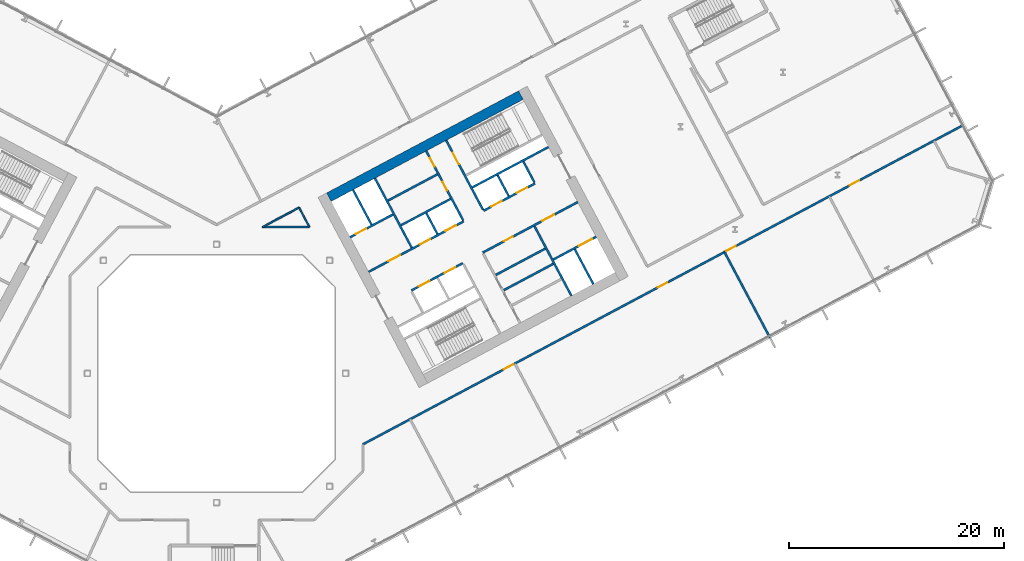
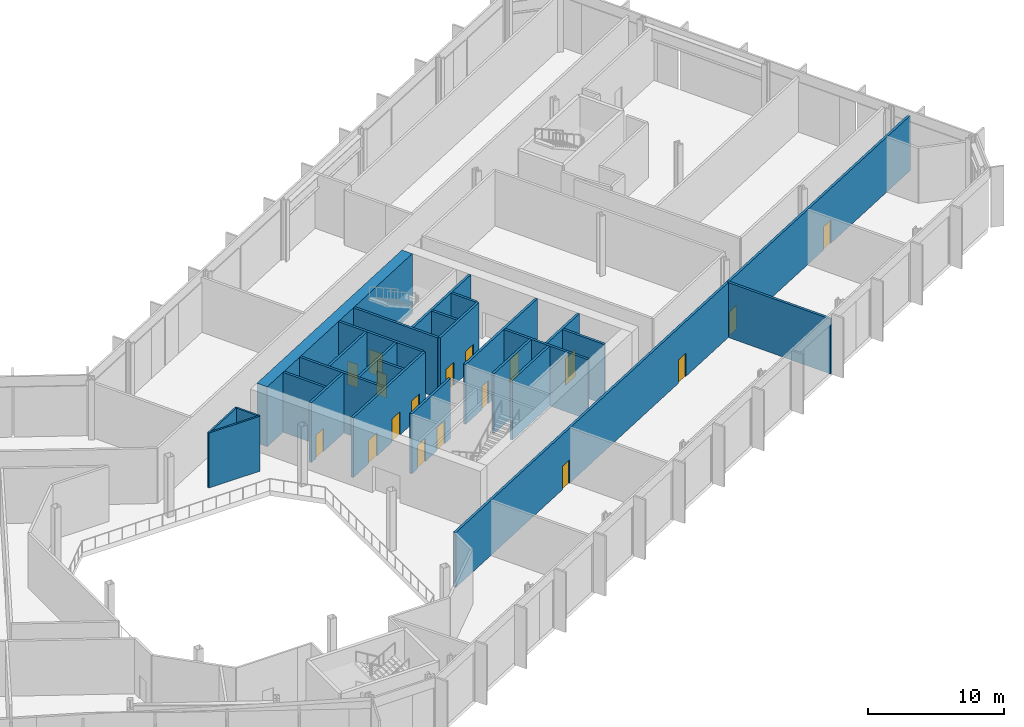
# One storey, part 16 of 32: 26 walls, 18 doors, 18 openings.
"""IFC4 building model written with IfcOpenShell, lengths in metres."""

from ifc_helpers import new_model, si_unit, direction, frame, frame_2d, origin, place, context, subcontext, project, spatial, rectangle, extrude, material, layer, layer_set, type_object, element, fill, save


model = new_model("IFC4")

# Units and contexts
model_context = context("Model", 3, precision=1e-05, world=origin(), true_north=direction((0.0, 1.0)))
body_context = subcontext(model_context, "Body", "Model", "MODEL_VIEW")
ifc_project = project(units=[si_unit("LENGTHUNIT", "METRE"), si_unit("AREAUNIT", "SQUARE_METRE"), si_unit("VOLUMEUNIT", "CUBIC_METRE"), si_unit("PLANEANGLEUNIT", "RADIAN"), si_unit("MASSUNIT", "GRAM", prefix="KILO")], contexts=[model_context])

# Site, building, storey
site_placement = place(None, origin())
site = spatial("IfcSite", under=ifc_project, at=site_placement, CompositionType="ELEMENT")
building_placement = place(site_placement, origin())
building = spatial("IfcBuilding", under=site, at=building_placement, Name="Cormorant Relay Tower", CompositionType="ELEMENT")
storey_placement = place(building_placement, frame((0.0, 0.0, 39.199951171875)))
storey = spatial("IfcBuildingStorey", under=building, at=storey_placement, Name="L07", CompositionType="ELEMENT", Elevation=39.199951171875)

# Walls
ifc_material_1 = material(Name="Concrete 40 MPa", Category="concrete")
ifc_layer_1 = layer(ifc_material_1, 0.199951171875)
ifc_layer_set_1 = layer_set([ifc_layer_1], Name="Core internal wall 200")
wall_type_1 = type_object("IfcWallType", Name="Core internal wall 200", PredefinedType="SOLIDWALL", material=ifc_layer_set_1)
for number, where, z_axis, x_axis, name in (
    (1, (20.522216796875, 12.950439453125, 0.0), (0.0, 0.0, 1.0), (-0.469401318492, 0.882984938828, 0.0), "L07 core B shaft and room wall"),
    (2, (27.144287109375, 16.471435546875, 0.0), (0.0, 0.0, 1.0), (-0.469401318492, 0.882984938828, 0.0), "L07 core B shaft and room wall"),
):
    element("IfcWall", number, at=place(storey_placement, frame(where, z_axis=z_axis, x_axis=x_axis)), inside=storey, type_object=wall_type_1, Name=name, PredefinedType="SOLIDWALL", context=body_context, shape_type="SweptSolid", body=[
        extrude(rectangle(XDim=2.199951171875, YDim=0.199951171875, at=frame_2d((1.10009765625, 0.0))), origin(), (0.0, 0.0, 1.0), 5.400146484375),
    ])
for number, where, z_axis, x_axis, name in (
    (3, (26.692138671875, 7.73681640625, 0.0), (0.0, 0.0, 1.0), (0.882953967957, 0.469459572775, 0.0), "L07 core B shaft and room wall"),
    (4, (15.92626953125, 16.056396484375, 0.0), (0.0, 0.0, 1.0), (0.882953967957, 0.469459572775, 0.0), "L07 core B shaft and room wall"),
):
    element("IfcWall", number, at=place(storey_placement, frame(where, z_axis=z_axis, x_axis=x_axis)), inside=storey, type_object=wall_type_1, Name=name, PredefinedType="SOLIDWALL", context=body_context, shape_type="SweptSolid", body=[
        extrude(rectangle(XDim=5.199951171875, YDim=0.199951171875, at=frame_2d((2.60009765625, 0.0))), origin(), (0.0, 0.0, 1.0), 5.400146484375),
    ])
ifc_material_2 = material(Name="Concrete 50 MPa", Category="concrete")
ifc_layer_2 = layer(ifc_material_2, 0.199951171875)
ifc_layer_set_2 = layer_set([ifc_layer_2], Name="Core shaft wall 200")
wall_type_2 = type_object("IfcWallType", Name="Core shaft wall 200", PredefinedType="SHEAR", material=ifc_layer_set_2)
wall_1_placement = place(storey_placement, frame((14.39404296875, 13.825927734375, 0.0), z_axis=(0.0, 0.0, 1.0), x_axis=(-0.469494272526, 0.882935517501, 0.0)))
element("IfcWall", 5, at=wall_1_placement, inside=storey, type_object=wall_type_2, Name="L07 core B shaft wall", PredefinedType="SHEAR", context=body_context, shape_type="SweptSolid", body=[
    extrude(rectangle(XDim=3.64990234375, YDim=0.199951171875, at=frame_2d((1.824951171875, 0.0))), origin(), (0.0, 0.0, 1.0), 5.400146484375),
])
wall_2_placement = place(storey_placement, frame((18.138427734375, 11.682861328125, 0.0), z_axis=(0.0, 0.0, 1.0), x_axis=(-0.469480409012, 0.88294288918, 0.0)))
element("IfcWall", 6, at=wall_2_placement, inside=storey, type_object=wall_type_2, Name="L07 core B shaft wall", PredefinedType="SHEAR", context=body_context, shape_type="SweptSolid", body=[
    extrude(rectangle(XDim=7.300048828125, YDim=0.199951171875, at=frame_2d((3.64990234375, 0.0))), origin(), (0.0, 0.0, 1.0), 5.400146484375),
])

# Wall, openings, doors
wall_3_placement = place(storey_placement, frame((22.90625, 14.218017578125, 0.0), z_axis=(0.0, 0.0, 1.0), x_axis=(-0.469480409012, 0.88294288918, 0.0)))
wall_3 = element("IfcWall", 7, at=wall_3_placement, inside=storey, type_object=wall_type_2, Name="L07 core B shaft wall", PredefinedType="SHEAR", context=body_context, shape_type="SweptSolid", body=[
    extrude(rectangle(XDim=7.300048828125, YDim=0.199951171875, at=frame_2d((3.64990234375, 0.0))), origin(), (0.0, 0.0, 1.0), 5.400146484375),
])
opening_1_placement = place(wall_3_placement, frame((3.14990234375, 0.0, 0.0)))
opening_1 = element("IfcOpeningElement", 8, at=opening_1_placement, cuts=wall_3, Name="Opening CDD-090", PredefinedType="OPENING", context=body_context, shape_type="SweptSolid", body=[
    extrude(rectangle(XDim=0.89990234375, YDim=2.10009765625, at=frame_2d((0.449951171875, 1.050048828125))), frame((0.0, 0.10986328125, 0.0), z_axis=(0.0, -1.0, 0.0), x_axis=(1.0, 0.0, 0.0)), (0.0, 0.0, 1.0), 0.219970703125),
])
opening_2_placement = place(wall_3_placement, frame((5.64990234375, 0.0, 0.0)))
opening_2 = element("IfcOpeningElement", 9, at=opening_2_placement, cuts=wall_3, Name="Opening CDD-091", PredefinedType="OPENING", context=body_context, shape_type="SweptSolid", body=[
    extrude(rectangle(XDim=0.89990234375, YDim=2.10009765625, at=frame_2d((0.449951171875, 1.050048828125))), frame((0.0, 0.10986328125, 0.0), z_axis=(0.0, -1.0, 0.0), x_axis=(1.0, 0.0, 0.0)), (0.0, 0.0, 1.0), 0.219970703125),
])
ifc_material_3 = material(Name="Steel fire door", Category="steel")
door_type_1 = type_object("IfcDoorType", Name="Core room door 900x2100", OperationType="SINGLE_SWING_LEFT", PredefinedType="DOOR", material=ifc_material_3)
door_1_placement = place(opening_1_placement, origin())
door_1 = element("IfcDoor", 10, at=door_1_placement, inside=storey, type_object=door_type_1, Name="Core room door 900x2100", OperationType="SINGLE_SWING_RIGHT", OverallHeight=2.10009765625, OverallWidth=0.89990234375, PredefinedType="DOOR", context=body_context, shape_type="SweptSolid", body=[
    extrude(rectangle(XDim=0.89990234375, YDim=2.10009765625, at=frame_2d((0.449951171875, 1.050048828125))), frame((0.0, 0.02490234375, 0.0), z_axis=(0.0, -1.0, 0.0), x_axis=(1.0, 0.0, 0.0)), (0.0, 0.0, 1.0), 0.050048828125),
])
fill(opening_1, door_1)
door_2_placement = place(opening_2_placement, origin())
door_2 = element("IfcDoor", 11, at=door_2_placement, inside=storey, type_object=door_type_1, Name="Core room door 900x2100", OperationType="SINGLE_SWING_LEFT", OverallHeight=2.10009765625, OverallWidth=0.89990234375, PredefinedType="DOOR", context=body_context, shape_type="SweptSolid", body=[
    extrude(rectangle(XDim=0.89990234375, YDim=2.10009765625, at=frame_2d((0.449951171875, 1.050048828125))), frame((0.0, 0.02490234375, 0.0), z_axis=(0.0, -1.0, 0.0), x_axis=(1.0, 0.0, 0.0)), (0.0, 0.0, 1.0), 0.050048828125),
])
fill(opening_2, door_2)

# Wall, opening, door
wall_4_placement = place(storey_placement, frame((24.760498046875, 15.2041015625, 0.0), z_axis=(0.0, 0.0, 1.0), x_axis=(-0.469494272526, 0.882935517501, 0.0)))
wall_4 = element("IfcWall", 12, at=wall_4_placement, inside=storey, type_object=wall_type_2, Name="L07 core B shaft wall", PredefinedType="SHEAR", context=body_context, shape_type="SweptSolid", body=[
    extrude(rectangle(XDim=7.2998046875, YDim=0.199951171875, at=frame_2d((3.64990234375, 0.0))), origin(), (0.0, 0.0, 1.0), 5.400146484375),
])
opening_3_placement = place(wall_4_placement, frame((4.800048828125, 0.0, 0.0)))
opening_3 = element("IfcOpeningElement", 13, at=opening_3_placement, cuts=wall_4, Name="Opening CDB-022", PredefinedType="OPENING", context=body_context, shape_type="SweptSolid", body=[
    extrude(rectangle(XDim=1.199951171875, YDim=2.10009765625, at=frame_2d((0.60009765625, 1.050048828125))), frame((0.0, 0.10986328125, 0.0), z_axis=(0.0, -1.0, 0.0), x_axis=(1.0, 0.0, 0.0)), (0.0, 0.0, 1.0), 0.219970703125),
])
ifc_material_4 = material(Name="Steel fire door", Category="steel")
door_type_2 = type_object("IfcDoorType", Name="Core stair door 1200x2100", OperationType="SINGLE_SWING_LEFT", PredefinedType="DOOR", material=ifc_material_4)
door_3_placement = place(opening_3_placement, frame((1.199951171875, 0.0, 0.0), z_axis=(0.0, 0.0, 1.0), x_axis=(-1.0, 0.0, 0.0)))
door_3 = element("IfcDoor", 14, at=door_3_placement, inside=storey, type_object=door_type_2, Name="Core stair door 1200x2100", OperationType="SINGLE_SWING_RIGHT", OverallHeight=2.10009765625, OverallWidth=1.199951171875, PredefinedType="DOOR", context=body_context, shape_type="SweptSolid", body=[
    extrude(rectangle(XDim=1.199951171875, YDim=2.10009765625, at=frame_2d((0.60009765625, 1.050048828125))), frame((0.0, 0.02490234375, 0.0), z_axis=(0.0, -1.0, 0.0), x_axis=(1.0, 0.0, 0.0)), (0.0, 0.0, 1.0), 0.050048828125),
])
fill(opening_3, door_3)

# Walls
wall_5_placement = place(storey_placement, frame((32.968017578125, 7.222900390625, 0.0), z_axis=(0.0, 0.0, 1.0), x_axis=(-0.469480409012, 0.88294288918, 0.0)))
element("IfcWall", 15, at=wall_5_placement, inside=storey, type_object=wall_type_2, Name="L07 core B shaft wall", PredefinedType="SHEAR", context=body_context, shape_type="SweptSolid", body=[
    extrude(rectangle(XDim=7.300048828125, YDim=0.199951171875, at=frame_2d((3.64990234375, 0.0))), origin(), (0.0, 0.0, 1.0), 5.400146484375),
])
wall_6_placement = place(storey_placement, frame((29.5283203125, 17.739013671875, 0.0), z_axis=(0.0, 0.0, 1.0), x_axis=(-0.469401318492, 0.882984938828, 0.0)))
element("IfcWall", 16, at=wall_6_placement, inside=storey, type_object=wall_type_2, Name="L07 core B shaft wall", PredefinedType="SHEAR", context=body_context, shape_type="SweptSolid", body=[
    extrude(rectangle(XDim=2.199951171875, YDim=0.199951171875, at=frame_2d((1.10009765625, 0.0))), origin(), (0.0, 0.0, 1.0), 5.400146484375),
])
wall_7_placement = place(storey_placement, frame((34.998779296875, 8.302734375, 0.0), z_axis=(0.0, 0.0, 1.0), x_axis=(-0.4694665462, 0.882950260207, 0.0)))
element("IfcWall", 17, at=wall_7_placement, inside=storey, type_object=wall_type_2, Name="L07 core B shaft wall", PredefinedType="SHEAR", context=body_context, shape_type="SweptSolid", body=[
    extrude(rectangle(XDim=3.650146484375, YDim=0.199951171875, at=frame_2d((1.8251953125, 0.0))), origin(), (0.0, 0.0, 1.0), 5.400146484375),
])

# Wall, opening, door
wall_8_placement = place(storey_placement, frame((31.295654296875, 10.5810546875, 0.0), z_axis=(0.0, 0.0, 1.0), x_axis=(0.882960433586, 0.469447412093, 0.0)))
wall_8 = element("IfcWall", 18, at=wall_8_placement, inside=storey, type_object=wall_type_2, Name="L07 core B shaft wall", PredefinedType="SHEAR", context=body_context, shape_type="SweptSolid", body=[
    extrude(rectangle(XDim=4.5, YDim=0.199951171875, at=frame_2d((2.25, 0.0))), origin(), (0.0, 0.0, 1.0), 5.400146484375),
])
opening_4_placement = place(wall_8_placement, frame((2.64990234375, 0.0, 0.0)))
opening_4 = element("IfcOpeningElement", 19, at=opening_4_placement, cuts=wall_8, Name="Opening LD3-008", PredefinedType="OPENING", context=body_context, shape_type="SweptSolid", body=[
    extrude(rectangle(XDim=1.39990234375, YDim=2.39990234375, at=frame_2d((0.699951171875, 1.199951171875))), frame((0.0, 0.10986328125, 0.0), z_axis=(0.0, -1.0, 0.0), x_axis=(1.0, 0.0, 0.0)), (0.0, 0.0, 1.0), 0.219970703125),
])
ifc_material_5 = material(Name="Stainless steel 316", Category="steel")
door_type_3 = type_object("IfcDoorType", Name="Lift landing door 1400x2400", OperationType="DOUBLE_DOOR_SLIDING", PredefinedType="DOOR", material=ifc_material_5)
door_4_placement = place(opening_4_placement, origin())
door_4 = element("IfcDoor", 20, at=door_4_placement, inside=storey, type_object=door_type_3, Name="SV2 landing door", OperationType="DOUBLE_DOOR_SLIDING", OverallHeight=2.39990234375, OverallWidth=1.39990234375, PredefinedType="DOOR", context=body_context, shape_type="SweptSolid", body=[
    extrude(rectangle(XDim=1.39990234375, YDim=2.39990234375, at=frame_2d((0.699951171875, 1.199951171875))), frame((0.0, 0.02490234375, 0.0), z_axis=(0.0, -1.0, 0.0), x_axis=(1.0, 0.0, 0.0)), (0.0, 0.0, 1.0), 0.050048828125),
])
fill(opening_4, door_4)

# Wall
wall_9_placement = place(storey_placement, frame((25.94091796875, 9.149658203125, 0.0), z_axis=(0.0, 0.0, 1.0), x_axis=(0.882953967957, 0.469459572775, 0.0)))
element("IfcWall", 21, at=wall_9_placement, inside=storey, type_object=wall_type_2, Name="L07 core B shaft wall", PredefinedType="SHEAR", context=body_context, shape_type="SweptSolid", body=[
    extrude(rectangle(XDim=5.199951171875, YDim=0.199951171875, at=frame_2d((2.60009765625, 0.0))), origin(), (0.0, 0.0, 1.0), 5.400146484375),
])

# Wall, openings, doors
wall_10_placement = place(storey_placement, frame((18.103759765625, 7.70068359375, 0.0), z_axis=(0.0, 0.0, 1.0), x_axis=(0.882952937579, 0.469461510692, 0.0)))
wall_10 = element("IfcWall", 22, at=wall_10_placement, inside=storey, type_object=wall_type_2, Name="L07 core B shaft wall", PredefinedType="SHEAR", context=body_context, shape_type="SweptSolid", body=[
    extrude(rectangle(XDim=5.400146484375, YDim=0.199951171875, at=frame_2d((2.7001953125, 0.0))), origin(), (0.0, 0.0, 1.0), 5.400146484375),
])
opening_5_placement = place(wall_10_placement, frame((0.800048828125, 0.0, 0.0)))
opening_5 = element("IfcOpeningElement", 23, at=opening_5_placement, cuts=wall_10, Name="Opening LD1-024", PredefinedType="OPENING", context=body_context, shape_type="SweptSolid", body=[
    extrude(rectangle(XDim=1.10009765625, YDim=2.10009765625, at=frame_2d((0.550048828125, 1.050048828125))), frame((0.0, 0.10986328125, 0.0), z_axis=(0.0, -1.0, 0.0), x_axis=(1.0, 0.0, 0.0)), (0.0, 0.0, 1.0), 0.219970703125),
])
opening_6_placement = place(wall_10_placement, frame((3.5, 0.0, 0.0)))
opening_6 = element("IfcOpeningElement", 24, at=opening_6_placement, cuts=wall_10, Name="Opening LD1-025", PredefinedType="OPENING", context=body_context, shape_type="SweptSolid", body=[
    extrude(rectangle(XDim=1.10009765625, YDim=2.10009765625, at=frame_2d((0.550048828125, 1.050048828125))), frame((0.0, 0.10986328125, 0.0), z_axis=(0.0, -1.0, 0.0), x_axis=(1.0, 0.0, 0.0)), (0.0, 0.0, 1.0), 0.219970703125),
])
ifc_material_6 = material(Name="Stainless steel 316", Category="steel")
door_type_4 = type_object("IfcDoorType", Name="Lift landing door 1100x2100", OperationType="DOUBLE_DOOR_SLIDING", PredefinedType="DOOR", material=ifc_material_6)
door_5_placement = place(opening_5_placement, origin())
door_5 = element("IfcDoor", 25, at=door_5_placement, inside=storey, type_object=door_type_4, Name="LR5 landing door", OperationType="DOUBLE_DOOR_SLIDING", OverallHeight=2.10009765625, OverallWidth=1.10009765625, PredefinedType="DOOR", context=body_context, shape_type="SweptSolid", body=[
    extrude(rectangle(XDim=1.10009765625, YDim=2.10009765625, at=frame_2d((0.550048828125, 1.050048828125))), frame((0.0, 0.02490234375, 0.0), z_axis=(0.0, -1.0, 0.0), x_axis=(1.0, 0.0, 0.0)), (0.0, 0.0, 1.0), 0.050048828125),
])
fill(opening_5, door_5)
door_6_placement = place(opening_6_placement, origin())
door_6 = element("IfcDoor", 26, at=door_6_placement, inside=storey, type_object=door_type_4, Name="LR6 landing door", OperationType="DOUBLE_DOOR_SLIDING", OverallHeight=2.10009765625, OverallWidth=1.10009765625, PredefinedType="DOOR", context=body_context, shape_type="SweptSolid", body=[
    extrude(rectangle(XDim=1.10009765625, YDim=2.10009765625, at=frame_2d((0.550048828125, 1.050048828125))), frame((0.0, 0.02490234375, 0.0), z_axis=(0.0, -1.0, 0.0), x_axis=(1.0, 0.0, 0.0)), (0.0, 0.0, 1.0), 0.050048828125),
])
fill(opening_6, door_6)

wall_11_placement = place(storey_placement, frame((24.72607421875, 11.2216796875, 0.0), z_axis=(0.0, 0.0, 1.0), x_axis=(0.882940221191, 0.469485426614, 0.0)))
wall_11 = element("IfcWall", 27, at=wall_11_placement, inside=storey, type_object=wall_type_2, Name="L07 core B shaft wall", PredefinedType="SHEAR", context=body_context, shape_type="SweptSolid", body=[
    extrude(rectangle(XDim=10.0, YDim=0.199951171875, at=frame_2d((5.0, 0.0))), origin(), (0.0, 0.0, 1.0), 5.400146484375),
])
opening_7_placement = place(wall_11_placement, frame((6.300048828125, 0.0, 0.0)))
opening_7 = element("IfcOpeningElement", 28, at=opening_7_placement, cuts=wall_11, Name="Opening CDC-016", PredefinedType="OPENING", context=body_context, shape_type="SweptSolid", body=[
    extrude(rectangle(XDim=1.199951171875, YDim=2.10009765625, at=frame_2d((0.60009765625, 1.050048828125))), frame((0.0, 0.10986328125, 0.0), z_axis=(0.0, -1.0, 0.0), x_axis=(1.0, 0.0, 0.0)), (0.0, 0.0, 1.0), 0.219970703125),
])
opening_8_placement = place(wall_11_placement, frame((2.25, 0.0, 0.0)))
opening_8 = element("IfcOpeningElement", 29, at=opening_8_placement, cuts=wall_11, Name="Opening CDD-089", PredefinedType="OPENING", context=body_context, shape_type="SweptSolid", body=[
    extrude(rectangle(XDim=0.89990234375, YDim=2.10009765625, at=frame_2d((0.449951171875, 1.050048828125))), frame((0.0, 0.10986328125, 0.0), z_axis=(0.0, -1.0, 0.0), x_axis=(1.0, 0.0, 0.0)), (0.0, 0.0, 1.0), 0.219970703125),
])
ifc_material_7 = material(Name="Steel fire door", Category="steel")
door_type_5 = type_object("IfcDoorType", Name="Core lobby door 1200x2100", OperationType="SINGLE_SWING_LEFT", PredefinedType="DOOR", material=ifc_material_7)
door_7_placement = place(opening_7_placement, frame((1.199951171875, 0.0, 0.0), z_axis=(0.0, 0.0, 1.0), x_axis=(-1.0, 0.0, 0.0)))
door_7 = element("IfcDoor", 30, at=door_7_placement, inside=storey, type_object=door_type_5, Name="Core lobby door 1200x2100", OperationType="SINGLE_SWING_RIGHT", OverallHeight=2.10009765625, OverallWidth=1.199951171875, PredefinedType="DOOR", context=body_context, shape_type="SweptSolid", body=[
    extrude(rectangle(XDim=1.199951171875, YDim=2.10009765625, at=frame_2d((0.60009765625, 1.050048828125))), frame((0.0, 0.02490234375, 0.0), z_axis=(0.0, -1.0, 0.0), x_axis=(1.0, 0.0, 0.0)), (0.0, 0.0, 1.0), 0.050048828125),
])
fill(opening_7, door_7)
door_8_placement = place(opening_8_placement, frame((0.89990234375, 0.0, 0.0), z_axis=(0.0, 0.0, 1.0), x_axis=(-1.0, 0.0, 0.0)))
door_8 = element("IfcDoor", 31, at=door_8_placement, inside=storey, type_object=door_type_1, Name="Core room door 900x2100", OperationType="SINGLE_SWING_RIGHT", OverallHeight=2.10009765625, OverallWidth=0.89990234375, PredefinedType="DOOR", context=body_context, shape_type="SweptSolid", body=[
    extrude(rectangle(XDim=0.89990234375, YDim=2.10009765625, at=frame_2d((0.449951171875, 1.050048828125))), frame((0.0, 0.02490234375, 0.0), z_axis=(0.0, -1.0, 0.0), x_axis=(1.0, 0.0, 0.0)), (0.0, 0.0, 1.0), 0.050048828125),
])
fill(opening_8, door_8)

wall_12_placement = place(storey_placement, frame((14.123779296875, 9.43505859375, 0.0), z_axis=(0.0, 0.0, 1.0), x_axis=(0.882940221191, 0.469485426614, 0.0)))
wall_12 = element("IfcWall", 32, at=wall_12_placement, inside=storey, type_object=wall_type_2, Name="L07 core B shaft wall", PredefinedType="SHEAR", context=body_context, shape_type="SweptSolid", body=[
    extrude(rectangle(XDim=10.0, YDim=0.199951171875, at=frame_2d((5.0, 0.0))), origin(), (0.0, 0.0, 1.0), 5.400146484375),
])
opening_9_placement = place(wall_12_placement, frame((2.10009765625, 0.0, 0.0)))
opening_9 = element("IfcOpeningElement", 33, at=opening_9_placement, cuts=wall_12, Name="Opening CDC-015", PredefinedType="OPENING", context=body_context, shape_type="SweptSolid", body=[
    extrude(rectangle(XDim=1.199951171875, YDim=2.10009765625, at=frame_2d((0.60009765625, 1.050048828125))), frame((0.0, 0.10986328125, 0.0), z_axis=(0.0, -1.0, 0.0), x_axis=(1.0, 0.0, 0.0)), (0.0, 0.0, 1.0), 0.219970703125),
])
opening_10_placement = place(wall_12_placement, frame((5.39990234375, 0.0, 0.0)))
opening_10 = element("IfcOpeningElement", 34, at=opening_10_placement, cuts=wall_12, Name="Opening LD1-020", PredefinedType="OPENING", context=body_context, shape_type="SweptSolid", body=[
    extrude(rectangle(XDim=1.10009765625, YDim=2.10009765625, at=frame_2d((0.550048828125, 1.050048828125))), frame((0.0, 0.10986328125, 0.0), z_axis=(0.0, -1.0, 0.0), x_axis=(1.0, 0.0, 0.0)), (0.0, 0.0, 1.0), 0.219970703125),
])
opening_11_placement = place(wall_12_placement, frame((8.10009765625, 0.0, 0.0)))
opening_11 = element("IfcOpeningElement", 35, at=opening_11_placement, cuts=wall_12, Name="Opening LD1-021", PredefinedType="OPENING", context=body_context, shape_type="SweptSolid", body=[
    extrude(rectangle(XDim=1.10009765625, YDim=2.10009765625, at=frame_2d((0.550048828125, 1.050048828125))), frame((0.0, 0.10986328125, 0.0), z_axis=(0.0, -1.0, 0.0), x_axis=(1.0, 0.0, 0.0)), (0.0, 0.0, 1.0), 0.219970703125),
])
door_9_placement = place(opening_9_placement, origin())
door_9 = element("IfcDoor", 36, at=door_9_placement, inside=storey, type_object=door_type_5, Name="Core lobby door 1200x2100", OperationType="SINGLE_SWING_RIGHT", OverallHeight=2.10009765625, OverallWidth=1.199951171875, PredefinedType="DOOR", context=body_context, shape_type="SweptSolid", body=[
    extrude(rectangle(XDim=1.199951171875, YDim=2.10009765625, at=frame_2d((0.60009765625, 1.050048828125))), frame((0.0, 0.02490234375, 0.0), z_axis=(0.0, -1.0, 0.0), x_axis=(1.0, 0.0, 0.0)), (0.0, 0.0, 1.0), 0.050048828125),
])
fill(opening_9, door_9)
door_10_placement = place(opening_10_placement, origin())
door_10 = element("IfcDoor", 37, at=door_10_placement, inside=storey, type_object=door_type_4, Name="LR1 landing door", OperationType="DOUBLE_DOOR_SLIDING", OverallHeight=2.10009765625, OverallWidth=1.10009765625, PredefinedType="DOOR", context=body_context, shape_type="SweptSolid", body=[
    extrude(rectangle(XDim=1.10009765625, YDim=2.10009765625, at=frame_2d((0.550048828125, 1.050048828125))), frame((0.0, 0.02490234375, 0.0), z_axis=(0.0, -1.0, 0.0), x_axis=(1.0, 0.0, 0.0)), (0.0, 0.0, 1.0), 0.050048828125),
])
fill(opening_10, door_10)
door_11_placement = place(opening_11_placement, origin())
door_11 = element("IfcDoor", 38, at=door_11_placement, inside=storey, type_object=door_type_4, Name="LR2 landing door", OperationType="DOUBLE_DOOR_SLIDING", OverallHeight=2.10009765625, OverallWidth=1.10009765625, PredefinedType="DOOR", context=body_context, shape_type="SweptSolid", body=[
    extrude(rectangle(XDim=1.10009765625, YDim=2.10009765625, at=frame_2d((0.550048828125, 1.050048828125))), frame((0.0, 0.02490234375, 0.0), z_axis=(0.0, -1.0, 0.0), x_axis=(1.0, 0.0, 0.0)), (0.0, 0.0, 1.0), 0.050048828125),
])
fill(opening_11, door_11)

wall_13_placement = place(storey_placement, frame((24.807373046875, 15.11572265625, 0.0), z_axis=(0.0, 0.0, 1.0), x_axis=(0.882942972946, 0.469480251476, 0.0)))
wall_13 = element("IfcWall", 39, at=wall_13_placement, inside=storey, type_object=wall_type_2, Name="L07 core B shaft wall", PredefinedType="SHEAR", context=body_context, shape_type="SweptSolid", body=[
    extrude(rectangle(XDim=5.39990234375, YDim=0.199951171875, at=frame_2d((2.699951171875, 0.0))), origin(), (0.0, 0.0, 1.0), 5.400146484375),
])
opening_12_placement = place(wall_13_placement, frame((0.800048828125, 0.0, 0.0)))
opening_12 = element("IfcOpeningElement", 40, at=opening_12_placement, cuts=wall_13, Name="Opening LD1-022", PredefinedType="OPENING", context=body_context, shape_type="SweptSolid", body=[
    extrude(rectangle(XDim=1.10009765625, YDim=2.10009765625, at=frame_2d((0.550048828125, 1.050048828125))), frame((0.0, 0.10986328125, 0.0), z_axis=(0.0, -1.0, 0.0), x_axis=(1.0, 0.0, 0.0)), (0.0, 0.0, 1.0), 0.219970703125),
])
opening_13_placement = place(wall_13_placement, frame((3.5, 0.0, 0.0)))
opening_13 = element("IfcOpeningElement", 41, at=opening_13_placement, cuts=wall_13, Name="Opening LD1-023", PredefinedType="OPENING", context=body_context, shape_type="SweptSolid", body=[
    extrude(rectangle(XDim=1.10009765625, YDim=2.10009765625, at=frame_2d((0.550048828125, 1.050048828125))), frame((0.0, 0.10986328125, 0.0), z_axis=(0.0, -1.0, 0.0), x_axis=(1.0, 0.0, 0.0)), (0.0, 0.0, 1.0), 0.219970703125),
])
door_12_placement = place(opening_12_placement, origin())
door_12 = element("IfcDoor", 42, at=door_12_placement, inside=storey, type_object=door_type_4, Name="LR3 landing door", OperationType="DOUBLE_DOOR_SLIDING", OverallHeight=2.10009765625, OverallWidth=1.10009765625, PredefinedType="DOOR", context=body_context, shape_type="SweptSolid", body=[
    extrude(rectangle(XDim=1.10009765625, YDim=2.10009765625, at=frame_2d((0.550048828125, 1.050048828125))), frame((0.0, 0.02490234375, 0.0), z_axis=(0.0, -1.0, 0.0), x_axis=(1.0, 0.0, 0.0)), (0.0, 0.0, 1.0), 0.050048828125),
])
fill(opening_12, door_12)
door_13_placement = place(opening_13_placement, origin())
door_13 = element("IfcDoor", 43, at=door_13_placement, inside=storey, type_object=door_type_4, Name="LR4 landing door", OperationType="DOUBLE_DOOR_SLIDING", OverallHeight=2.10009765625, OverallWidth=1.10009765625, PredefinedType="DOOR", context=body_context, shape_type="SweptSolid", body=[
    extrude(rectangle(XDim=1.10009765625, YDim=2.10009765625, at=frame_2d((0.550048828125, 1.050048828125))), frame((0.0, 0.02490234375, 0.0), z_axis=(0.0, -1.0, 0.0), x_axis=(1.0, 0.0, 0.0)), (0.0, 0.0, 1.0), 0.050048828125),
])
fill(opening_13, door_13)

# Walls
wall_14_placement = place(storey_placement, frame((17.146728515625, 13.7607421875, 0.0), z_axis=(0.0, 0.0, 1.0), x_axis=(0.882964314875, 0.469440111896, 0.0)))
element("IfcWall", 44, at=wall_14_placement, inside=storey, type_object=wall_type_2, Name="L07 core B shaft wall", PredefinedType="SHEAR", context=body_context, shape_type="SweptSolid", body=[
    extrude(rectangle(XDim=5.2001953125, YDim=0.199951171875, at=frame_2d((2.60009765625, 0.0))), origin(), (0.0, 0.0, 1.0), 5.400146484375),
])
wall_15_placement = place(storey_placement, frame((23.76904296875, 17.28173828125, 0.0), z_axis=(0.0, 0.0, 1.0), x_axis=(0.882940221191, 0.469485426614, 0.0)))
element("IfcWall", 45, at=wall_15_placement, inside=storey, type_object=wall_type_2, Name="L07 core B shaft wall", PredefinedType="SHEAR", context=body_context, shape_type="SweptSolid", body=[
    extrude(rectangle(XDim=8.0, YDim=0.199951171875, at=frame_2d((4.0, 0.0))), origin(), (0.0, 0.0, 1.0), 5.400146484375),
])

# Wall, opening, door
wall_16_placement = place(storey_placement, frame((12.41015625, 12.657958984375, 0.0), z_axis=(0.0, 0.0, 1.0), x_axis=(0.8829484765, 0.469469900894, 0.0)))
wall_16 = element("IfcWall", 46, at=wall_16_placement, inside=storey, type_object=wall_type_2, Name="L07 core B shaft wall", PredefinedType="SHEAR", context=body_context, shape_type="SweptSolid", body=[
    extrude(rectangle(XDim=4.499755859375, YDim=0.199951171875, at=frame_2d((2.25, 0.0))), origin(), (0.0, 0.0, 1.0), 5.400146484375),
])
opening_14_placement = place(wall_16_placement, frame((0.60009765625, 0.0, 0.0)))
opening_14 = element("IfcOpeningElement", 47, at=opening_14_placement, cuts=wall_16, Name="Opening LD1-026", PredefinedType="OPENING", context=body_context, shape_type="SweptSolid", body=[
    extrude(rectangle(XDim=1.10009765625, YDim=2.10009765625, at=frame_2d((0.550048828125, 1.050048828125))), frame((0.0, 0.10986328125, 0.0), z_axis=(0.0, -1.0, 0.0), x_axis=(1.0, 0.0, 0.0)), (0.0, 0.0, 1.0), 0.219970703125),
])
door_14_placement = place(opening_14_placement, origin())
door_14 = element("IfcDoor", 48, at=door_14_placement, inside=storey, type_object=door_type_4, Name="FF2 landing door", OperationType="DOUBLE_DOOR_SLIDING", OverallHeight=2.10009765625, OverallWidth=1.10009765625, PredefinedType="DOOR", context=body_context, shape_type="SweptSolid", body=[
    extrude(rectangle(XDim=1.10009765625, YDim=2.10009765625, at=frame_2d((0.550048828125, 1.050048828125))), frame((0.0, 0.02490234375, 0.0), z_axis=(0.0, -1.0, 0.0), x_axis=(1.0, 0.0, 0.0)), (0.0, 0.0, 1.0), 0.050048828125),
])
fill(opening_14, door_14)

# Wall
ifc_material_8 = material(Name="Concrete 70 MPa", Category="concrete")
ifc_layer_3 = layer(ifc_material_8, 0.89990234375)
ifc_layer_set_3 = layer_set([ifc_layer_3], Name="Core wall 900")
wall_type_3 = type_object("IfcWallType", Name="Core wall 900", PredefinedType="SHEAR", material=ifc_layer_set_3)
wall_17_placement = place(storey_placement, frame((10.4384765625, 16.3662109375, 0.0), z_axis=(0.0, 0.0, 1.0), x_axis=(0.88294509198, 0.469476266226, 0.0)))
element("IfcWall", 49, at=wall_17_placement, inside=storey, type_object=wall_type_3, Name="L07 core B wall", PredefinedType="SHEAR", context=body_context, shape_type="SweptSolid", body=[
    extrude(rectangle(XDim=20.199951171875, YDim=0.89990234375, at=frame_2d((10.10009765625, 0.0))), origin(), (0.0, 0.0, 1.0), 5.400146484375),
])

# Wall, openings, doors
ifc_material_9 = material(Name="Fire-rated gypsum board partition")
ifc_layer_4 = layer(ifc_material_9, 0.199951171875)
ifc_layer_set_4 = layer_set([ifc_layer_4], Name="Fire-rated gypsum partition 200")
wall_type_4 = type_object("IfcWallType", Name="Fire-rated gypsum partition 200", PredefinedType="PARTITIONING", material=ifc_layer_set_4)
wall_18_placement = place(storey_placement, frame((69.47509765625, 23.1259765625, 0.0), z_axis=(0.0, 0.0, 1.0), x_axis=(-0.882944287046, -0.469477780063, 0.0)))
wall_18 = element("IfcWall", 50, at=wall_18_placement, inside=storey, type_object=wall_type_4, Name="wall/L07/part/33", PredefinedType="PARTITIONING", context=body_context, shape_type="SweptSolid", body=[
    extrude(rectangle(XDim=63.28515625, YDim=0.199951171875, at=frame_2d((31.642578125, 0.0))), origin(), (0.0, 0.0, 1.0), 4.949951171875),
])
opening_15_placement = place(wall_18_placement, frame((47.469970703125, 0.0, 0.0)))
opening_15 = element("IfcOpeningElement", 51, at=opening_15_placement, cuts=wall_18, Name="Opening FD1-030", PredefinedType="OPENING", context=body_context, shape_type="SweptSolid", body=[
    extrude(rectangle(XDim=1.0, YDim=2.10009765625, at=frame_2d((0.5, 1.050048828125))), frame((0.0, 0.10986328125, 0.0), z_axis=(0.0, -1.0, 0.0), x_axis=(1.0, 0.0, 0.0)), (0.0, 0.0, 1.0), 0.219970703125),
])
opening_16_placement = place(wall_18_placement, frame((31.27099609375, 0.0, 0.0)))
opening_16 = element("IfcOpeningElement", 52, at=opening_16_placement, cuts=wall_18, Name="Opening FD1-031", PredefinedType="OPENING", context=body_context, shape_type="SweptSolid", body=[
    extrude(rectangle(XDim=1.0, YDim=2.10009765625, at=frame_2d((0.5, 1.050048828125))), frame((0.0, 0.10986328125, 0.0), z_axis=(0.0, -1.0, 0.0), x_axis=(1.0, 0.0, 0.0)), (0.0, 0.0, 1.0), 0.219970703125),
])
opening_17_placement = place(wall_18_placement, frame((24.070068359375, 0.0, 0.0)))
opening_17 = element("IfcOpeningElement", 53, at=opening_17_placement, cuts=wall_18, Name="Opening FD1-032", PredefinedType="OPENING", context=body_context, shape_type="SweptSolid", body=[
    extrude(rectangle(XDim=1.0, YDim=2.10009765625, at=frame_2d((0.5, 1.050048828125))), frame((0.0, 0.10986328125, 0.0), z_axis=(0.0, -1.0, 0.0), x_axis=(1.0, 0.0, 0.0)), (0.0, 0.0, 1.0), 0.219970703125),
])
opening_18_placement = place(wall_18_placement, frame((11.071044921875, 0.0, 0.0)))
opening_18 = element("IfcOpeningElement", 54, at=opening_18_placement, cuts=wall_18, Name="Opening FD1-033", PredefinedType="OPENING", context=body_context, shape_type="SweptSolid", body=[
    extrude(rectangle(XDim=1.0, YDim=2.10009765625, at=frame_2d((0.5, 1.050048828125))), frame((0.0, 0.10986328125, 0.0), z_axis=(0.0, -1.0, 0.0), x_axis=(1.0, 0.0, 0.0)), (0.0, 0.0, 1.0), 0.219970703125),
])
ifc_material_10 = material(Name="Fire-rated steel door", Category="steel")
door_type_6 = type_object("IfcDoorType", Name="Fire door 1000 x 2100", OperationType="SINGLE_SWING_LEFT", PredefinedType="DOOR", material=ifc_material_10)
door_15_placement = place(opening_15_placement, origin())
door_15 = element("IfcDoor", 55, at=door_15_placement, inside=storey, type_object=door_type_6, Name="door/L07/11", OperationType="SINGLE_SWING_LEFT", OverallHeight=2.10009765625, OverallWidth=1.0, PredefinedType="DOOR", context=body_context, shape_type="SweptSolid", body=[
    extrude(rectangle(XDim=1.0, YDim=2.10009765625, at=frame_2d((0.5, 1.050048828125))), frame((0.0, 0.02490234375, 0.0), z_axis=(0.0, -1.0, 0.0), x_axis=(1.0, 0.0, 0.0)), (0.0, 0.0, 1.0), 0.050048828125),
])
fill(opening_15, door_15)
door_16_placement = place(opening_16_placement, origin())
door_16 = element("IfcDoor", 56, at=door_16_placement, inside=storey, type_object=door_type_6, Name="door/L07/12", OperationType="SINGLE_SWING_RIGHT", OverallHeight=2.10009765625, OverallWidth=1.0, PredefinedType="DOOR", context=body_context, shape_type="SweptSolid", body=[
    extrude(rectangle(XDim=1.0, YDim=2.10009765625, at=frame_2d((0.5, 1.050048828125))), frame((0.0, 0.02490234375, 0.0), z_axis=(0.0, -1.0, 0.0), x_axis=(1.0, 0.0, 0.0)), (0.0, 0.0, 1.0), 0.050048828125),
])
fill(opening_16, door_16)
door_17_placement = place(opening_17_placement, origin())
door_17 = element("IfcDoor", 57, at=door_17_placement, inside=storey, type_object=door_type_6, Name="door/L07/13", OperationType="SINGLE_SWING_RIGHT", OverallHeight=2.10009765625, OverallWidth=1.0, PredefinedType="DOOR", context=body_context, shape_type="SweptSolid", body=[
    extrude(rectangle(XDim=1.0, YDim=2.10009765625, at=frame_2d((0.5, 1.050048828125))), frame((0.0, 0.02490234375, 0.0), z_axis=(0.0, -1.0, 0.0), x_axis=(1.0, 0.0, 0.0)), (0.0, 0.0, 1.0), 0.050048828125),
])
fill(opening_17, door_17)
door_18_placement = place(opening_18_placement, origin())
door_18 = element("IfcDoor", 58, at=door_18_placement, inside=storey, type_object=door_type_6, Name="door/L07/14", OperationType="SINGLE_SWING_RIGHT", OverallHeight=2.10009765625, OverallWidth=1.0, PredefinedType="DOOR", context=body_context, shape_type="SweptSolid", body=[
    extrude(rectangle(XDim=1.0, YDim=2.10009765625, at=frame_2d((0.5, 1.050048828125))), frame((0.0, 0.02490234375, 0.0), z_axis=(0.0, -1.0, 0.0), x_axis=(1.0, 0.0, 0.0)), (0.0, 0.0, 1.0), 0.050048828125),
])
fill(opening_18, door_18)

# Walls
wall_19_placement = place(storey_placement, frame((47.18310546875, 11.27197265625, 0.0), z_axis=(0.0, 0.0, 1.0), x_axis=(0.469454635748, -0.882956592916, 0.0)))
element("IfcWall", 59, at=wall_19_placement, inside=storey, type_object=wall_type_4, Name="wall/L07/part/40", PredefinedType="PARTITIONING", context=body_context, shape_type="SweptSolid", body=[
    extrude(rectangle(XDim=9.00146484375, YDim=0.199951171875, at=frame_2d((4.500732421875, 0.0))), origin(), (0.0, 0.0, 1.0), 4.949951171875),
])
ifc_material_11 = material(Name="Gypsum board partition")
ifc_layer_5 = layer(ifc_material_11, 0.14990234375)
ifc_layer_set_5 = layer_set([ifc_layer_5], Name="Gypsum board partition 150")
wall_type_5 = type_object("IfcWallType", Name="Gypsum board partition 150", PredefinedType="PARTITIONING", material=ifc_layer_set_5)
wall_20_placement = place(storey_placement, frame((8.6279296875, 13.597900390625, 0.0), z_axis=(0.0, 0.0, 1.0), x_axis=(-0.469498231646, 0.882933412258, 0.0)))
element("IfcWall", 60, at=wall_20_placement, inside=storey, type_object=wall_type_5, Name="wall/L07/part/62", PredefinedType="PARTITIONING", context=body_context, shape_type="SweptSolid", body=[
    extrude(rectangle(XDim=2.046630859375, YDim=0.14990234375, at=frame_2d((1.0234375, 0.0))), origin(), (0.0, 0.0, 1.0), 4.949951171875),
])
wall_21_placement = place(storey_placement, frame((7.6669921875, 15.405029296875, 0.0), z_axis=(0.0, 0.0, 1.0), x_axis=(-0.88290372476, -0.469554057384, 0.0)))
element("IfcWall", 61, at=wall_21_placement, inside=storey, type_object=wall_type_5, Name="wall/L07/part/63", PredefinedType="PARTITIONING", context=body_context, shape_type="SweptSolid", body=[
    extrude(rectangle(XDim=3.8486328125, YDim=0.14990234375, at=frame_2d((1.92431640625, 0.0))), origin(), (0.0, 0.0, 1.0), 4.949951171875),
])
wall_22_placement = place(storey_placement, frame((4.26904296875, 13.597900390625, 0.0), z_axis=(0.0, 0.0, 1.0), x_axis=(1.0, 0.0, 0.0)))
element("IfcWall", 62, at=wall_22_placement, inside=storey, type_object=wall_type_5, Name="wall/L07/part/64", PredefinedType="PARTITIONING", context=body_context, shape_type="SweptSolid", body=[
    extrude(rectangle(XDim=4.35888671875, YDim=0.14990234375, at=frame_2d((2.179443359375, 0.0))), origin(), (0.0, 0.0, 1.0), 4.949951171875),
])

save(model, "model.ifc")
